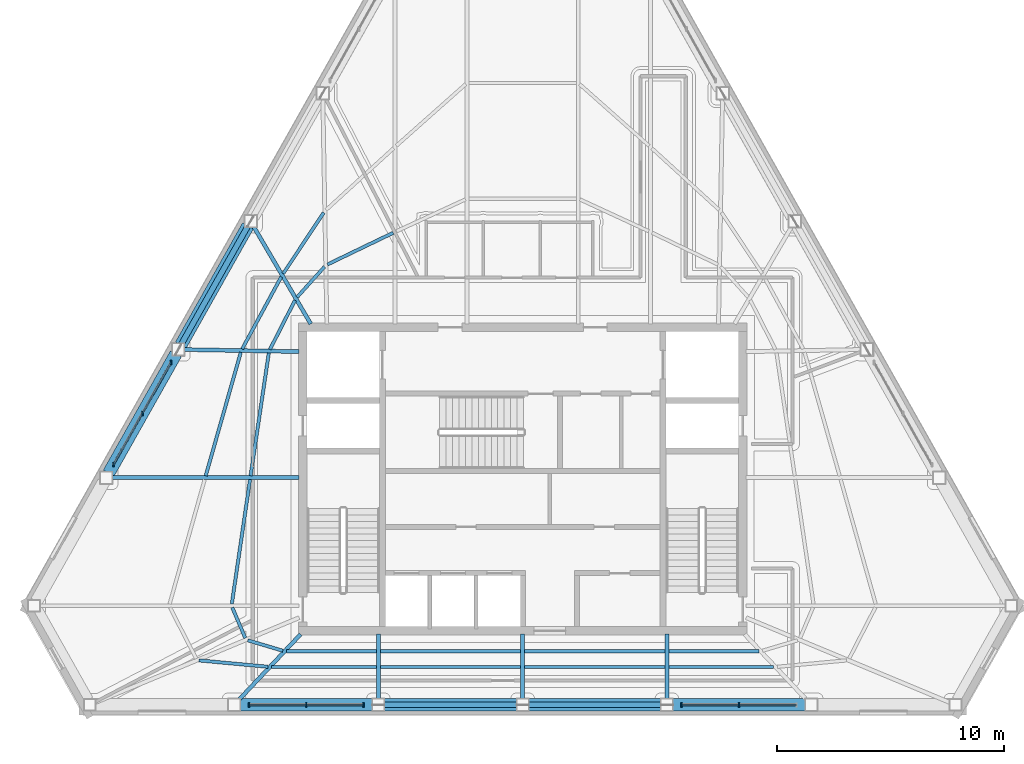
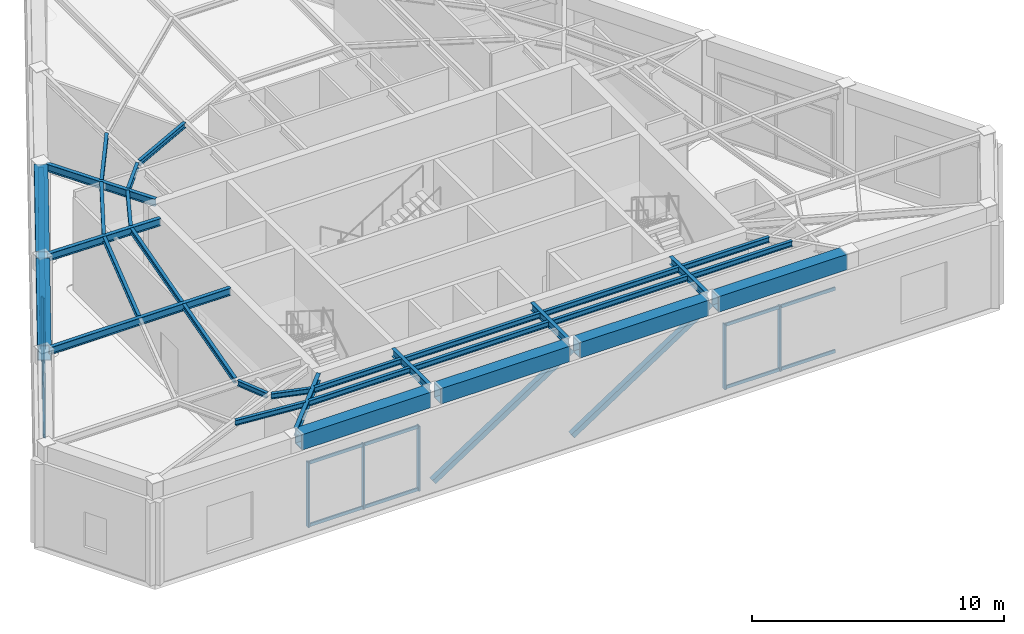
# One storey, part 2 of 15: 32 beams, 17 members, 3 elements without a shape of their own.
"""IFC4 building model written with IfcOpenShell, lengths in metres."""

from ifc_helpers import new_model, si_unit, direction, frame, origin, origin_2d, place, context, subcontext, project, spatial, rectangle, hollow_rectangle, i_section, extrude, material, layer, layer_set, material_profile, profile_set, type_object, element, aggregate, save


model = new_model("IFC4")

# Units and contexts
model_context = context("Model", 3, precision=1e-05, world=origin(), true_north=direction((0.0, 1.0)))
body_context = subcontext(model_context, "Body", "Model", "MODEL_VIEW")
ifc_project = project(units=[si_unit("LENGTHUNIT", "METRE"), si_unit("AREAUNIT", "SQUARE_METRE"), si_unit("VOLUMEUNIT", "CUBIC_METRE"), si_unit("PLANEANGLEUNIT", "RADIAN"), si_unit("MASSUNIT", "GRAM", prefix="KILO")], contexts=[model_context])

# Site, building, storey
site_placement = place(None, origin())
site = spatial("IfcSite", under=ifc_project, at=site_placement, CompositionType="ELEMENT")
building_placement = place(site_placement, origin())
building = spatial("IfcBuilding", under=site, at=building_placement, Name="Kavelnor Concourse Tower", CompositionType="ELEMENT")
storey_placement = place(building_placement, frame((0.0, 0.0, 304.949951171875)))
storey = spatial("IfcBuildingStorey", under=building, at=storey_placement, Name="L77", CompositionType="ELEMENT", Elevation=304.949951171875)

# Beams
ifc_material_1 = material(Name="Steel Grade 350", Category="steel")
ifc_material_profile_1 = material_profile(ifc_material_1, i_section(OverallWidth=0.14599609375, OverallDepth=0.256103515625, WebThickness=0.00634765625, FlangeThickness=0.010986328125, at=origin_2d()), Name="250UB37")
ifc_profile_set_1 = profile_set([ifc_material_profile_1], Name="Steel Grade 350")
beam_type_1 = type_object("IfcBeamType", Name="BM-JOIST-250", PredefinedType="JOIST", material=ifc_profile_set_1)
beam_1_placement = place(storey_placement, frame((25.186767578125, 10.43212890625, 4.64208984375), z_axis=(0.391408324652, -0.920217106662, 0.0), x_axis=(0.920217106662, 0.391408324652, 0.0)))
element("IfcBeam", 1, at=beam_1_placement, inside=storey, type_object=beam_type_1, Name="L77 Secondary Composite Joist 01-1", PredefinedType="JOIST", context=body_context, shape_type="SweptSolid", body=[
    extrude(i_section(OverallWidth=0.14599609375, OverallDepth=0.256103515625, WebThickness=0.00634765625, FlangeThickness=0.010986328125, at=origin_2d()), origin(), (0.0, 0.0, 1.0), 1.4677734375),
])
beam_2_placement = place(storey_placement, frame((25.8720703125, 8.982666015625, 4.64208984375), z_axis=(0.958428894954, -0.285331479715, 0.0), x_axis=(0.285331479715, 0.958428894954, 0.0)))
element("IfcBeam", 2, at=beam_2_placement, inside=storey, type_object=beam_type_1, Name="L77 Secondary Composite Joist 02-1", PredefinedType="JOIST", context=body_context, shape_type="SweptSolid", body=[
    extrude(i_section(OverallWidth=0.14599609375, OverallDepth=0.256103515625, WebThickness=0.00634765625, FlangeThickness=0.010986328125, at=origin_2d()), origin(), (0.0, 0.0, 1.0), 1.611083984375),
])
beam_3_placement = place(storey_placement, frame((23.7119140625, 8.097412109375, 4.64208984375), z_axis=(0.995744197311, -0.092160151488, 0.0), x_axis=(0.092160151488, 0.995744197311, 0.0)))
element("IfcBeam", 3, at=beam_3_placement, inside=storey, type_object=beam_type_1, Name="L77 Secondary Composite Joist 02-2", PredefinedType="JOIST", context=body_context, shape_type="SweptSolid", body=[
    extrude(i_section(OverallWidth=0.14599609375, OverallDepth=0.256103515625, WebThickness=0.00634765625, FlangeThickness=0.010986328125, at=origin_2d()), origin(), (0.0, 0.0, 1.0), 3.062255859375),
])
beam_4_placement = place(storey_placement, frame((27.576904296875, 8.49951171875, 4.64208984375), z_axis=(0.999999168046, 0.001289925217, 0.0), x_axis=(-0.001289925217, 0.999999168046, 0.0)))
element("IfcBeam", 4, at=beam_4_placement, inside=storey, type_object=beam_type_1, Name="L77 Secondary Composite Joist 03-1", PredefinedType="JOIST", context=body_context, shape_type="SweptSolid", body=[
    extrude(i_section(OverallWidth=0.14599609375, OverallDepth=0.256103515625, WebThickness=0.00634765625, FlangeThickness=0.010986328125, at=origin_2d()), origin(), (0.0, 0.0, 1.0), 3.974609375),
])
beam_5_placement = place(storey_placement, frame((26.9248046875, 7.8076171875, 4.64208984375), z_axis=(1.0, 0.0, 0.0), x_axis=(0.0, 1.0, 0.0)))
element("IfcBeam", 5, at=beam_5_placement, inside=storey, type_object=beam_type_1, Name="L77 Secondary Composite Joist 03-2", PredefinedType="JOIST", context=body_context, shape_type="SweptSolid", body=[
    extrude(i_section(OverallWidth=0.14599609375, OverallDepth=0.256103515625, WebThickness=0.00634765625, FlangeThickness=0.010986328125, at=origin_2d()), origin(), (0.0, 0.0, 1.0), 4.626708984375),
])
for number, where, z_axis, x_axis, name in (
    (6, (31.715576171875, 8.504638671875, 4.64208984375), (1.0, 0.0, 0.0), (0.0, 1.0, 0.0), "L77 Secondary Composite Joist 04-1"),
    (7, (31.715576171875, 7.8076171875, 4.64208984375), (1.0, 0.0, 0.0), (0.0, 1.0, 0.0), "L77 Secondary Composite Joist 04-2"),
    (8, (38.08203125, 8.504638671875, 4.64208984375), (1.0, 0.0, 0.0), (0.0, 1.0, 0.0), "L77 Secondary Composite Joist 05-1"),
    (9, (38.08203125, 7.8076171875, 4.64208984375), (1.0, 0.0, 0.0), (0.0, 1.0, 0.0), "L77 Secondary Composite Joist 05-2"),
):
    element("IfcBeam", number, at=place(storey_placement, frame(where, z_axis=z_axis, x_axis=x_axis)), inside=storey, type_object=beam_type_1, Name=name, PredefinedType="JOIST", context=body_context, shape_type="SweptSolid", body=[
        extrude(i_section(OverallWidth=0.14599609375, OverallDepth=0.256103515625, WebThickness=0.00634765625, FlangeThickness=0.010986328125, at=origin_2d()), origin(), (0.0, 0.0, 1.0), 6.202392578125),
    ])
beam_6_placement = place(storey_placement, frame((44.448486328125, 8.504638671875, 4.64208984375), z_axis=(0.999999168046, -0.001289925217, 0.0), x_axis=(0.001289925217, 0.999999168046, 0.0)))
element("IfcBeam", 10, at=beam_6_placement, inside=storey, type_object=beam_type_1, Name="L77 Secondary Composite Joist 06-1", PredefinedType="JOIST", context=body_context, shape_type="SweptSolid", body=[
    extrude(i_section(OverallWidth=0.14599609375, OverallDepth=0.256103515625, WebThickness=0.00634765625, FlangeThickness=0.010986328125, at=origin_2d()), origin(), (0.0, 0.0, 1.0), 3.974609375),
])
beam_7_placement = place(storey_placement, frame((44.448486328125, 7.8076171875, 4.64208984375), z_axis=(1.0, 0.0, 0.0), x_axis=(0.0, 1.0, 0.0)))
element("IfcBeam", 11, at=beam_7_placement, inside=storey, type_object=beam_type_1, Name="L77 Secondary Composite Joist 06-2", PredefinedType="JOIST", context=body_context, shape_type="SweptSolid", body=[
    extrude(i_section(OverallWidth=0.14599609375, OverallDepth=0.256103515625, WebThickness=0.00634765625, FlangeThickness=0.010986328125, at=origin_2d()), origin(), (0.0, 0.0, 1.0), 4.626708984375),
])
beam_8_placement = place(storey_placement, frame((32.28857421875, 26.96630859375, 4.64208984375), z_axis=(-0.900804141255, -0.434225631553, 0.0), x_axis=(0.434225631553, -0.900804141255, 0.0)))
element("IfcBeam", 12, at=beam_8_placement, inside=storey, type_object=beam_type_1, Name="L77 Secondary Composite Joist 17-1", PredefinedType="JOIST", context=body_context, shape_type="SweptSolid", body=[
    extrude(i_section(OverallWidth=0.14599609375, OverallDepth=0.256103515625, WebThickness=0.00634765625, FlangeThickness=0.010986328125, at=origin_2d()), origin(), (0.0, 0.0, 1.0), 3.22216796875),
])
beam_9_placement = place(storey_placement, frame((29.25732421875, 25.470458984375, 4.64208984375), z_axis=(-0.668599359139, -0.743622819014, 0.0), x_axis=(0.743622819014, -0.668599359139, 0.0)))
element("IfcBeam", 13, at=beam_9_placement, inside=storey, type_object=beam_type_1, Name="L77 Secondary Composite Joist 18-1", PredefinedType="JOIST", context=body_context, shape_type="SweptSolid", body=[
    extrude(i_section(OverallWidth=0.14599609375, OverallDepth=0.256103515625, WebThickness=0.00634765625, FlangeThickness=0.010986328125, at=origin_2d()), origin(), (0.0, 0.0, 1.0), 1.809326171875),
])
beam_10_placement = place(storey_placement, frame((29.224365234375, 27.85546875, 4.64208984375), z_axis=(-0.554281887876, -0.832329014737, 0.0), x_axis=(0.832329014737, -0.554281887876, 0.0)))
element("IfcBeam", 14, at=beam_10_placement, inside=storey, type_object=beam_type_1, Name="L77 Secondary Composite Joist 18-2", PredefinedType="JOIST", context=body_context, shape_type="SweptSolid", body=[
    extrude(i_section(OverallWidth=0.14599609375, OverallDepth=0.256103515625, WebThickness=0.00634765625, FlangeThickness=0.010986328125, at=origin_2d()), origin(), (0.0, 0.0, 1.0), 3.23291015625),
])
beam_11_placement = place(storey_placement, frame((27.95556640625, 23.99072265625, 4.64208984375), z_axis=(-0.454369794015, -0.89081316239, 0.0), x_axis=(0.89081316239, -0.454369794015, 0.0)))
element("IfcBeam", 15, at=beam_11_placement, inside=storey, type_object=beam_type_1, Name="L77 Secondary Composite Joist 19-1", PredefinedType="JOIST", context=body_context, shape_type="SweptSolid", body=[
    extrude(i_section(OverallWidth=0.14599609375, OverallDepth=0.256103515625, WebThickness=0.00634765625, FlangeThickness=0.010986328125, at=origin_2d()), origin(), (0.0, 0.0, 1.0), 2.437744140625),
])
beam_12_placement = place(storey_placement, frame((27.347900390625, 25.024169921875, 4.64208984375), z_axis=(-0.476365675217, -0.879247259578, 0.0), x_axis=(0.879247259578, -0.476365675217, 0.0)))
element("IfcBeam", 16, at=beam_12_placement, inside=storey, type_object=beam_type_1, Name="L77 Secondary Composite Joist 19-2", PredefinedType="JOIST", context=body_context, shape_type="SweptSolid", body=[
    extrude(i_section(OverallWidth=0.14599609375, OverallDepth=0.256103515625, WebThickness=0.00634765625, FlangeThickness=0.010986328125, at=origin_2d()), origin(), (0.0, 0.0, 1.0), 3.621337890625),
])
beam_13_placement = place(storey_placement, frame((26.798583984375, 21.664794921875, 4.64208984375), z_axis=(-0.146695577191, -0.989181685856, 0.0), x_axis=(0.989181685856, -0.146695577191, 0.0)))
element("IfcBeam", 17, at=beam_13_placement, inside=storey, type_object=beam_type_1, Name="L77 Secondary Composite Joist 20-1", PredefinedType="JOIST", context=body_context, shape_type="SweptSolid", body=[
    extrude(i_section(OverallWidth=0.14599609375, OverallDepth=0.256103515625, WebThickness=0.00634765625, FlangeThickness=0.010986328125, at=origin_2d()), origin(), (0.0, 0.0, 1.0), 5.48046875),
])
beam_14_placement = place(storey_placement, frame((25.561279296875, 21.68896484375, 4.64208984375), z_axis=(-0.273240371341, -0.961945788218, 0.0), x_axis=(0.961945788218, -0.273240371341, 0.0)))
element("IfcBeam", 18, at=beam_14_placement, inside=storey, type_object=beam_type_1, Name="L77 Secondary Composite Joist 20-2", PredefinedType="JOIST", context=body_context, shape_type="SweptSolid", body=[
    extrude(i_section(OverallWidth=0.14599609375, OverallDepth=0.256103515625, WebThickness=0.00634765625, FlangeThickness=0.010986328125, at=origin_2d()), origin(), (0.0, 0.0, 1.0), 5.6630859375),
])
beam_15_placement = place(storey_placement, frame((25.970703125, 16.08154296875, 4.64208984375), z_axis=(-0.144862187905, -0.989451841433, 0.0), x_axis=(0.989451841433, -0.144862187905, 0.0)))
element("IfcBeam", 19, at=beam_15_placement, inside=storey, type_object=beam_type_1, Name="L77 Secondary Composite Joist 21-1", PredefinedType="JOIST", context=body_context, shape_type="SweptSolid", body=[
    extrude(i_section(OverallWidth=0.14599609375, OverallDepth=0.256103515625, WebThickness=0.00634765625, FlangeThickness=0.010986328125, at=origin_2d()), origin(), (0.0, 0.0, 1.0), 5.551513671875),
])
ifc_material_profile_2 = material_profile(ifc_material_1, i_section(OverallWidth=0.172119140625, OverallDepth=0.35888671875, WebThickness=0.008056640625, FlangeThickness=0.012939453125, at=origin_2d()), Name="360UB56")
ifc_profile_set_2 = profile_set([ifc_material_profile_2], Name="Steel Grade 350")
beam_type_2 = type_object("IfcBeamType", Name="BM-PRIMARY-360", PredefinedType="BEAM", material=ifc_profile_set_2)
beam_16_placement = place(storey_placement, frame((28.649169921875, 22.945556640625, 4.590576171875), z_axis=(-0.506106379866, 0.862471061694, 0.0), x_axis=(-0.862471061694, -0.506106379866, 0.0)))
element("IfcBeam", 20, at=beam_16_placement, inside=storey, type_object=beam_type_2, Name="L77 Primary Floor Girder F0-B3", PredefinedType="BEAM", context=body_context, shape_type="SweptSolid", body=[
    extrude(i_section(OverallWidth=0.172119140625, OverallDepth=0.35888671875, WebThickness=0.008056640625, FlangeThickness=0.012939453125, at=origin_2d()), origin(), (0.0, 0.0, 1.0), 4.987548828125),
])
beam_17_placement = place(storey_placement, frame((28.139892578125, 21.72216796875, 4.590576171875), z_axis=(-0.999839684786, 0.017905438481, 0.0), x_axis=(-0.017905438481, -0.999839684786, 0.0)))
element("IfcBeam", 21, at=beam_17_placement, inside=storey, type_object=beam_type_2, Name="L77 Primary Floor Girder F0-B4", PredefinedType="BEAM", context=body_context, shape_type="SweptSolid", body=[
    extrude(i_section(OverallWidth=0.172119140625, OverallDepth=0.35888671875, WebThickness=0.008056640625, FlangeThickness=0.012939453125, at=origin_2d()), origin(), (0.0, 0.0, 1.0), 5.113037109375),
])
beam_18_placement = place(storey_placement, frame((28.139892578125, 16.16259765625, 4.590576171875), z_axis=(-1.0, 0.0, 0.0), x_axis=(0.0, -1.0, 0.0)))
element("IfcBeam", 22, at=beam_18_placement, inside=storey, type_object=beam_type_2, Name="L77 Primary Floor Girder F0-B5", PredefinedType="BEAM", context=body_context, shape_type="SweptSolid", body=[
    extrude(i_section(OverallWidth=0.172119140625, OverallDepth=0.35888671875, WebThickness=0.008056640625, FlangeThickness=0.012939453125, at=origin_2d()), origin(), (0.0, 0.0, 1.0), 8.297119140625),
])
beam_19_placement = place(storey_placement, frame((28.201416015625, 9.2490234375, 4.590576171875), z_axis=(-0.685810562862, -0.727780098565, 0.0), x_axis=(0.727780098565, -0.685810562862, 0.0)))
element("IfcBeam", 23, at=beam_19_placement, inside=storey, type_object=beam_type_2, Name="L77 Primary Floor Girder F1-B1", PredefinedType="BEAM", context=body_context, shape_type="SweptSolid", body=[
    extrude(i_section(OverallWidth=0.172119140625, OverallDepth=0.35888671875, WebThickness=0.008056640625, FlangeThickness=0.012939453125, at=origin_2d()), origin(), (0.0, 0.0, 1.0), 3.96142578125),
])
for number, where, z_axis, x_axis, name in (
    (24, (31.633544921875, 9.260009765625, 4.590576171875), (0.0, -1.0, 0.0), (1.0, 0.0, 0.0), "L77 Primary Floor Girder F1-B2"),
    (25, (38.0, 9.260009765625, 4.590576171875), (0.0, -1.0, 0.0), (1.0, 0.0, 0.0), "L77 Primary Floor Girder F1-B3"),
    (26, (44.366455078125, 9.260009765625, 4.590576171875), (0.0, -1.0, 0.0), (1.0, 0.0, 0.0), "L77 Primary Floor Girder F1-B4"),
):
    element("IfcBeam", number, at=place(storey_placement, frame(where, z_axis=z_axis, x_axis=x_axis)), inside=storey, type_object=beam_type_2, Name=name, PredefinedType="BEAM", context=body_context, shape_type="SweptSolid", body=[
        extrude(i_section(OverallWidth=0.172119140625, OverallDepth=0.35888671875, WebThickness=0.008056640625, FlangeThickness=0.012939453125, at=origin_2d()), origin(), (0.0, 0.0, 1.0), 2.905029296875),
    ])
ifc_material_profile_3 = material_profile(ifc_material_1, hollow_rectangle(XDim=0.550048828125, YDim=0.75, WallThickness=0.034912109375, at=origin_2d()), Name="RHS 750x550x35")
ifc_profile_set_3 = profile_set([ifc_material_profile_3], Name="Steel Grade 350")
beam_type_3 = type_object("IfcBeamType", Name="BM-XFER-CHORD-750", PredefinedType="BEAM", material=ifc_profile_set_3)
beam_20_placement = place(storey_placement, frame((25.882080078125, 27.276611328125, 4.39501953125), z_axis=(-0.490710205823, -0.871322841375, 0.0), x_axis=(0.871322841375, -0.490710205823, 0.0)))
element("IfcBeam", 27, at=beam_20_placement, inside=storey, type_object=beam_type_3, Name="L77 Perimeter Tube Spandrel Beam F0-B3", PredefinedType="BEAM", context=body_context, shape_type="SweptSolid", body=[
    extrude(hollow_rectangle(XDim=0.550048828125, YDim=0.75, WallThickness=0.034912109375, at=origin_2d()), origin(), (0.0, 0.0, 1.0), 6.04052734375),
])
beam_21_placement = place(storey_placement, frame((22.697265625, 21.62158203125, 4.39501953125), z_axis=(-0.490727487572, -0.871313108441, 0.0), x_axis=(0.871313108441, -0.490727487572, 0.0)))
element("IfcBeam", 28, at=beam_21_placement, inside=storey, type_object=beam_type_3, Name="L77 Perimeter Tube Spandrel Beam F0-B4", PredefinedType="BEAM", context=body_context, shape_type="SweptSolid", body=[
    extrude(hollow_rectangle(XDim=0.550048828125, YDim=0.75, WallThickness=0.034912109375, at=origin_2d()), origin(), (0.0, 0.0, 1.0), 6.040283203125),
])
for number, where, z_axis, x_axis, name in (
    (29, (25.491943359375, 6.135009765625, 4.39501953125), (1.0, 0.0, 0.0), (0.0, 1.0, 0.0), "L77 Perimeter Tube Spandrel Beam F1-B1"),
    (30, (31.8583984375, 6.135009765625, 4.39501953125), (1.0, 0.0, 0.0), (0.0, 1.0, 0.0), "L77 Perimeter Tube Spandrel Beam F1-B2"),
    (31, (38.22509765625, 6.135009765625, 4.39501953125), (1.0, 0.0, 0.0), (0.0, 1.0, 0.0), "L77 Perimeter Tube Spandrel Beam F1-B3"),
    (32, (44.591552734375, 6.135009765625, 4.39501953125), (1.0, 0.0, 0.0), (0.0, 1.0, 0.0), "L77 Perimeter Tube Spandrel Beam F1-B4"),
):
    element("IfcBeam", number, at=place(storey_placement, frame(where, z_axis=z_axis, x_axis=x_axis)), inside=storey, type_object=beam_type_3, Name=name, PredefinedType="BEAM", context=body_context, shape_type="SweptSolid", body=[
        extrude(hollow_rectangle(XDim=0.550048828125, YDim=0.75, WallThickness=0.034912109375, at=origin_2d()), origin(), (0.0, 0.0, 1.0), 5.91650390625),
    ])

# Curtain wall, members
ifc_material_2 = material(Name="Anodised aluminium 6063-T6", Category="aluminium")
ifc_layer = layer(ifc_material_2, 0.195068359375, Name="Anodised aluminium 6063-T6")
ifc_layer_set = layer_set([ifc_layer], Name="Anodised aluminium 6063-T6")
curtain_wall_type = type_object("IfcCurtainWallType", Name="CW-OBSERVATION-L77", PredefinedType="NOTDEFINED", material=ifc_layer_set)
curtain_wall_1_placement = place(storey_placement, origin())
curtain_wall_1 = element("IfcCurtainWall", 33, at=curtain_wall_1_placement, inside=storey, type_object=curtain_wall_type, Name="L77 Feature Curtain Wall F0-B4", PredefinedType="NOTDEFINED")
ifc_material_profile_4 = material_profile(ifc_material_2, rectangle(XDim=0.06494140625, YDim=0.195068359375, at=origin_2d()), Name="AL-MULL 65x195")
ifc_profile_set_4 = profile_set([ifc_material_profile_4], Name="Anodised aluminium 6063-T6")
member_type_1 = type_object("IfcMemberType", Name="CW-OBSERVATION-L77-MULL", PredefinedType="MULLION", material=ifc_profile_set_4)
member_1_placement = place(storey_placement, frame((22.488525390625, 21.251220703125, 0.0), z_axis=(0.0, 0.0, 1.0), x_axis=(1.0, 0.0, 0.0)))
member_1 = element("IfcMember", 34, at=member_1_placement, type_object=member_type_1, Name="L77 Feature Curtain Wall F0-B4 Mullion 0", PredefinedType="MULLION", context=body_context, shape_type="SweptSolid", body=[
    extrude(rectangle(XDim=0.06494140625, YDim=0.195068359375, at=origin_2d()), origin(), (0.0, 0.0, 1.0), 3.150146484375),
])
member_2_placement = place(storey_placement, frame((21.215087890625, 18.989990234375, 0.0), z_axis=(0.0, 0.0, 1.0), x_axis=(1.0, 0.0, 0.0)))
member_2 = element("IfcMember", 35, at=member_2_placement, type_object=member_type_1, Name="L77 Feature Curtain Wall F0-B4 Mullion 1", PredefinedType="MULLION", context=body_context, shape_type="SweptSolid", body=[
    extrude(rectangle(XDim=0.06494140625, YDim=0.195068359375, at=origin_2d()), origin(), (0.0, 0.0, 1.0), 3.150146484375),
])
member_3_placement = place(storey_placement, frame((19.941650390625, 16.72900390625, 0.0), z_axis=(0.0, 0.0, 1.0), x_axis=(1.0, 0.0, 0.0)))
member_3 = element("IfcMember", 36, at=member_3_placement, type_object=member_type_1, Name="L77 Feature Curtain Wall F0-B4 Mullion 2", PredefinedType="MULLION", context=body_context, shape_type="SweptSolid", body=[
    extrude(rectangle(XDim=0.06494140625, YDim=0.195068359375, at=origin_2d()), origin(), (0.0, 0.0, 1.0), 3.150146484375),
])

curtain_wall_2_placement = place(storey_placement, origin())
curtain_wall_2 = element("IfcCurtainWall", 37, at=curtain_wall_2_placement, inside=storey, type_object=curtain_wall_type, Name="L77 Feature Curtain Wall F1-B1", PredefinedType="NOTDEFINED")
member_4_placement = place(storey_placement, frame((25.9169921875, 6.135009765625, 0.0), z_axis=(0.0, 0.0, 1.0), x_axis=(1.0, 0.0, 0.0)))
member_4 = element("IfcMember", 38, at=member_4_placement, type_object=member_type_1, Name="L77 Feature Curtain Wall F1-B1 Mullion 0", PredefinedType="MULLION", context=body_context, shape_type="SweptSolid", body=[
    extrude(rectangle(XDim=0.06494140625, YDim=0.195068359375, at=origin_2d()), origin(), (0.0, 0.0, 1.0), 3.150146484375),
])
member_5_placement = place(storey_placement, frame((28.4501953125, 6.135009765625, 0.0), z_axis=(0.0, 0.0, 1.0), x_axis=(1.0, 0.0, 0.0)))
member_5 = element("IfcMember", 39, at=member_5_placement, type_object=member_type_1, Name="L77 Feature Curtain Wall F1-B1 Mullion 1", PredefinedType="MULLION", context=body_context, shape_type="SweptSolid", body=[
    extrude(rectangle(XDim=0.06494140625, YDim=0.195068359375, at=origin_2d()), origin(), (0.0, 0.0, 1.0), 3.150146484375),
])
member_6_placement = place(storey_placement, frame((30.9833984375, 6.135009765625, 0.0), z_axis=(0.0, 0.0, 1.0), x_axis=(1.0, 0.0, 0.0)))
member_6 = element("IfcMember", 40, at=member_6_placement, type_object=member_type_1, Name="L77 Feature Curtain Wall F1-B1 Mullion 2", PredefinedType="MULLION", context=body_context, shape_type="SweptSolid", body=[
    extrude(rectangle(XDim=0.06494140625, YDim=0.195068359375, at=origin_2d()), origin(), (0.0, 0.0, 1.0), 3.150146484375),
])

curtain_wall_3_placement = place(storey_placement, origin())
curtain_wall_3 = element("IfcCurtainWall", 41, at=curtain_wall_3_placement, inside=storey, type_object=curtain_wall_type, Name="L77 Feature Curtain Wall F1-B4", PredefinedType="NOTDEFINED")
member_7_placement = place(storey_placement, frame((45.0166015625, 6.135009765625, 0.0), z_axis=(0.0, 0.0, 1.0), x_axis=(1.0, 0.0, 0.0)))
member_7 = element("IfcMember", 42, at=member_7_placement, type_object=member_type_1, Name="L77 Feature Curtain Wall F1-B4 Mullion 0", PredefinedType="MULLION", context=body_context, shape_type="SweptSolid", body=[
    extrude(rectangle(XDim=0.06494140625, YDim=0.195068359375, at=origin_2d()), origin(), (0.0, 0.0, 1.0), 3.150146484375),
])
member_8_placement = place(storey_placement, frame((47.5498046875, 6.135009765625, 0.0), z_axis=(0.0, 0.0, 1.0), x_axis=(1.0, 0.0, 0.0)))
member_8 = element("IfcMember", 43, at=member_8_placement, type_object=member_type_1, Name="L77 Feature Curtain Wall F1-B4 Mullion 1", PredefinedType="MULLION", context=body_context, shape_type="SweptSolid", body=[
    extrude(rectangle(XDim=0.06494140625, YDim=0.195068359375, at=origin_2d()), origin(), (0.0, 0.0, 1.0), 3.150146484375),
])

# Member
ifc_material_profile_5 = material_profile(ifc_material_2, rectangle(XDim=0.06494140625, YDim=0.155029296875, at=origin_2d()), Name="AL-TRAN 65x155")
ifc_profile_set_5 = profile_set([ifc_material_profile_5], Name="Anodised aluminium 6063-T6")
member_type_2 = type_object("IfcMemberType", Name="CW-OBSERVATION-L77-TRAN", PredefinedType="USERDEFINED", material=ifc_profile_set_5)
member_9_placement = place(storey_placement, frame((22.488525390625, 21.251220703125, 0.06005859375), z_axis=(-0.49071900726, -0.871317884537, 0.0), x_axis=(0.871317884537, -0.49071900726, 0.0)))
member_9 = element("IfcMember", 44, at=member_9_placement, type_object=member_type_2, Name="L77 Feature Curtain Wall F0-B4 Transom 0-BOT", ObjectType="TRANSOM", PredefinedType="USERDEFINED", context=body_context, shape_type="SweptSolid", body=[
    extrude(rectangle(XDim=0.06494140625, YDim=0.155029296875, at=origin_2d()), origin(), (0.0, 0.0, 1.0), 5.190185546875),
])

member_10_placement = place(storey_placement, frame((22.488525390625, 21.251220703125, 3.090087890625), z_axis=(-0.49071900726, -0.871317884537, 0.0), x_axis=(0.871317884537, -0.49071900726, 0.0)))
member_10 = element("IfcMember", 45, at=member_10_placement, type_object=member_type_2, Name="L77 Feature Curtain Wall F0-B4 Transom 0-TOP", ObjectType="TRANSOM", PredefinedType="USERDEFINED", context=body_context, shape_type="SweptSolid", body=[
    extrude(rectangle(XDim=0.06494140625, YDim=0.155029296875, at=origin_2d()), origin(), (0.0, 0.0, 1.0), 5.190185546875),
])

aggregate(curtain_wall_1, [member_1, member_2, member_3, member_9, member_10])

member_11_placement = place(storey_placement, frame((25.9169921875, 6.135009765625, 0.06005859375), z_axis=(1.0, 0.0, 0.0), x_axis=(0.0, 1.0, 0.0)))
member_11 = element("IfcMember", 46, at=member_11_placement, type_object=member_type_2, Name="L77 Feature Curtain Wall F1-B1 Transom 0-BOT", ObjectType="TRANSOM", PredefinedType="USERDEFINED", context=body_context, shape_type="SweptSolid", body=[
    extrude(rectangle(XDim=0.06494140625, YDim=0.155029296875, at=origin_2d()), origin(), (0.0, 0.0, 1.0), 5.06640625),
])

member_12_placement = place(storey_placement, frame((25.9169921875, 6.135009765625, 3.090087890625), z_axis=(1.0, 0.0, 0.0), x_axis=(0.0, 1.0, 0.0)))
member_12 = element("IfcMember", 47, at=member_12_placement, type_object=member_type_2, Name="L77 Feature Curtain Wall F1-B1 Transom 0-TOP", ObjectType="TRANSOM", PredefinedType="USERDEFINED", context=body_context, shape_type="SweptSolid", body=[
    extrude(rectangle(XDim=0.06494140625, YDim=0.155029296875, at=origin_2d()), origin(), (0.0, 0.0, 1.0), 5.06640625),
])

aggregate(curtain_wall_2, [member_4, member_5, member_6, member_11, member_12])

member_13_placement = place(storey_placement, frame((45.0166015625, 6.135009765625, 0.06005859375), z_axis=(1.0, 0.0, 0.0), x_axis=(0.0, 1.0, 0.0)))
member_13 = element("IfcMember", 48, at=member_13_placement, type_object=member_type_2, Name="L77 Feature Curtain Wall F1-B4 Transom 0-BOT", ObjectType="TRANSOM", PredefinedType="USERDEFINED", context=body_context, shape_type="SweptSolid", body=[
    extrude(rectangle(XDim=0.06494140625, YDim=0.155029296875, at=origin_2d()), origin(), (0.0, 0.0, 1.0), 5.06640625),
])

member_14_placement = place(storey_placement, frame((45.0166015625, 6.135009765625, 3.090087890625), z_axis=(1.0, 0.0, 0.0), x_axis=(0.0, 1.0, 0.0)))
member_14 = element("IfcMember", 49, at=member_14_placement, type_object=member_type_2, Name="L77 Feature Curtain Wall F1-B4 Transom 0-TOP", ObjectType="TRANSOM", PredefinedType="USERDEFINED", context=body_context, shape_type="SweptSolid", body=[
    extrude(rectangle(XDim=0.06494140625, YDim=0.155029296875, at=origin_2d()), origin(), (0.0, 0.0, 1.0), 5.06640625),
])

aggregate(curtain_wall_3, [member_7, member_8, member_13, member_14])

# Members
ifc_material_profile_6 = material_profile(ifc_material_1, hollow_rectangle(XDim=0.25, YDim=0.25, WallThickness=0.01611328125, at=origin_2d()), Name="SHS 250x250x16")
ifc_profile_set_6 = profile_set([ifc_material_profile_6], Name="Steel Grade 350")
member_type_3 = type_object("IfcMemberType", Name="MBR-TUBE-DIAG-Z4", PredefinedType="BRACE", material=ifc_profile_set_6)
member_15_placement = place(storey_placement, frame((22.8076171875, 21.8173828125, 0.219970703125), z_axis=(0.412722701899, 0.732783684201, 0.541006509671), x_axis=(-0.871305170482, 0.490741581579, 0.0)))
element("IfcMember", 50, at=member_15_placement, inside=storey, type_object=member_type_3, Name="L77 Framed-Tube Bracing Diagonal F0-B3", PredefinedType="BRACE", context=body_context, shape_type="SweptSolid", body=[
    extrude(hollow_rectangle(XDim=0.25, YDim=0.25, WallThickness=0.01611328125, at=origin_2d()), origin(), (0.0, 0.0, 1.0), 7.71728515625),
])
for number, where, z_axis, x_axis, name in (
    (51, (31.633544921875, 6.135009765625, 0.219970703125), (0.83622484068, 0.0, 0.54838673929), (0.0, 1.0, 0.0), "L77 Framed-Tube Bracing Diagonal F1-B2"),
    (52, (38.0, 6.135009765625, 0.219970703125), (0.83622484068, 0.0, 0.54838673929), (0.0, 1.0, 0.0), "L77 Framed-Tube Bracing Diagonal F1-B3"),
):
    element("IfcMember", number, at=place(storey_placement, frame(where, z_axis=z_axis, x_axis=x_axis)), inside=storey, type_object=member_type_3, Name=name, PredefinedType="BRACE", context=body_context, shape_type="SweptSolid", body=[
        extrude(hollow_rectangle(XDim=0.25, YDim=0.25, WallThickness=0.01611328125, at=origin_2d()), origin(), (0.0, 0.0, 1.0), 7.61328125),
    ])

save(model, "model.ifc")
